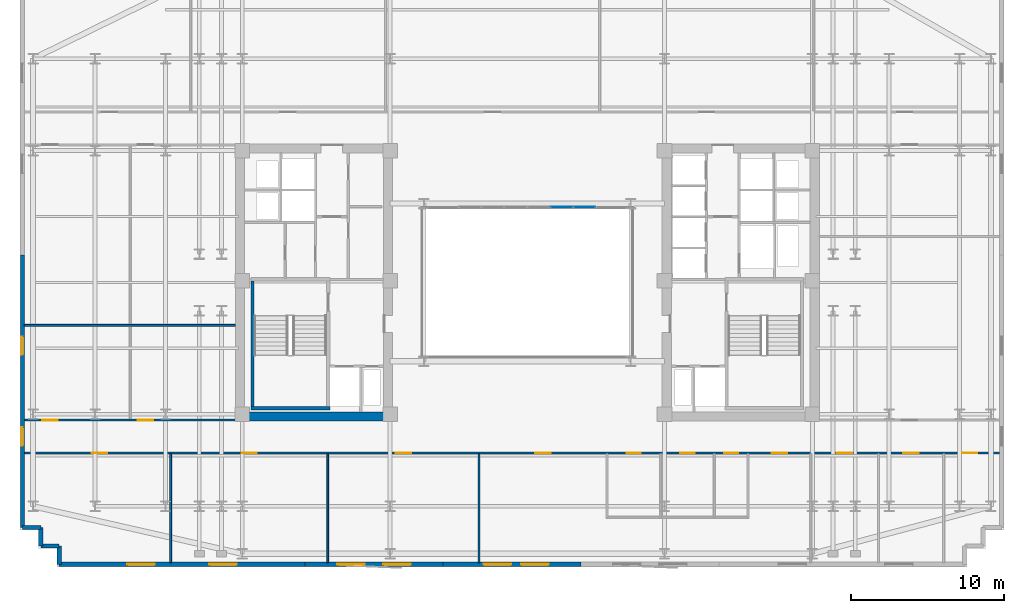
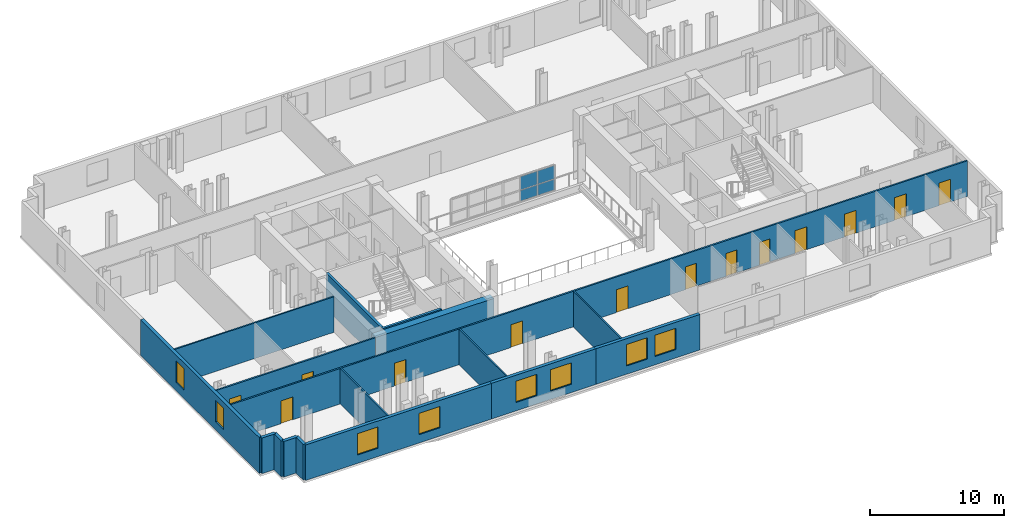
# One storey, part 6 of 12: 17 walls, 13 doors, 8 windows, 4 plates, 21 openings, 1 element without a shape of its own.
"""IFC4 building model written with IfcOpenShell, lengths in metres."""

from ifc_helpers import new_model, si_unit, direction, frame, frame_2d, origin, origin_2d, place, context, subcontext, project, spatial, rectangle, extrude, material, layer, layer_set, type_object, element, fill, aggregate, save


model = new_model("IFC4")

# Units and contexts
model_context = context("Model", 3, precision=1e-05, world=origin(), true_north=direction((0.0, 1.0)))
body_context = subcontext(model_context, "Body", "Model", "MODEL_VIEW")
ifc_project = project(units=[si_unit("LENGTHUNIT", "METRE"), si_unit("AREAUNIT", "SQUARE_METRE"), si_unit("VOLUMEUNIT", "CUBIC_METRE"), si_unit("PLANEANGLEUNIT", "RADIAN"), si_unit("MASSUNIT", "GRAM", prefix="KILO")], contexts=[model_context])

# Site, building, storey
site_placement = place(None, origin())
site = spatial("IfcSite", under=ifc_project, at=site_placement, CompositionType="ELEMENT")
building_placement = place(site_placement, origin())
building = spatial("IfcBuilding", under=site, at=building_placement, Name="Velakula Bourse", CompositionType="ELEMENT")
storey_placement = place(building_placement, frame((0.0, 0.0, 134.64990234375)))
storey = spatial("IfcBuildingStorey", under=building, at=storey_placement, Name="L36", CompositionType="ELEMENT", Elevation=134.64990234375)

# Curtain wall, plates
ifc_material_1 = material(Name="Anodised bronze architectural aluminium", Category="aluminium")
ifc_layer_1 = layer(ifc_material_1, 0.14990234375, Name="Anodised bronze architectural aluminium", Category="aluminium")
ifc_layer_set_1 = layer_set([ifc_layer_1], Name="Anodised bronze architectural aluminium")
curtain_wall_type = type_object("IfcCurtainWallType", Name="CW-AT1", PredefinedType="NOTDEFINED", material=ifc_layer_set_1)
curtain_wall_placement = place(storey_placement, origin())
curtain_wall = element("IfcCurtainWall", 1, at=curtain_wall_placement, inside=storey, type_object=curtain_wall_type, Name="L36 Central Trading Atrium Fire-Rated Glazed Screen", PredefinedType="NOTDEFINED")
ifc_material_2 = material(Name="Fire-resistant EI 120 laminated glazing", Category="glass")
ifc_layer_2 = layer(ifc_material_2, 0.02392578125, Name="Fire-resistant EI 120 laminated glazing", Category="glass")
ifc_layer_set_2 = layer_set([ifc_layer_2], Name="Fire-resistant EI 120 laminated glazing")
plate_type = type_object("IfcPlateType", Name="PNL-CW-AT1", PredefinedType="CURTAIN_PANEL", material=ifc_layer_set_2)
plate_1_placement = place(storey_placement, frame((2.25, 4.919921875, 0.06005859375), z_axis=(0.0, 0.0, 1.0), x_axis=(1.0, 0.0, 0.0)))
plate_1 = element("IfcPlate", 2, at=plate_1_placement, type_object=plate_type, Name="CW-AT1 panel 5.1", PredefinedType="CURTAIN_PANEL", context=body_context, shape_type="SweptSolid", body=[
    extrude(rectangle(XDim=1.43994140625, YDim=0.028076171875, at=origin_2d()), origin(), (0.0, 0.0, 1.0), 0.96533203125),
])
plate_2_placement = place(storey_placement, frame((2.25, 4.919921875, 1.08544921875), z_axis=(0.0, 0.0, 1.0), x_axis=(1.0, 0.0, 0.0)))
plate_2 = element("IfcPlate", 3, at=plate_2_placement, type_object=plate_type, Name="CW-AT1 panel 5.2", PredefinedType="CURTAIN_PANEL", context=body_context, shape_type="SweptSolid", body=[
    extrude(rectangle(XDim=1.43994140625, YDim=0.028076171875, at=origin_2d()), origin(), (0.0, 0.0, 1.0), 1.19970703125),
])
plate_3_placement = place(storey_placement, frame((3.735107421875, 4.919921875, 0.06005859375), z_axis=(0.0, 0.0, 1.0), x_axis=(1.0, 0.0, 0.0)))
plate_3 = element("IfcPlate", 4, at=plate_3_placement, type_object=plate_type, Name="CW-AT1 panel 6.1", PredefinedType="CURTAIN_PANEL", context=body_context, shape_type="SweptSolid", body=[
    extrude(rectangle(XDim=1.409912109375, YDim=0.028076171875, at=origin_2d()), origin(), (0.0, 0.0, 1.0), 0.96533203125),
])
plate_4_placement = place(storey_placement, frame((3.735107421875, 4.919921875, 1.08544921875), z_axis=(0.0, 0.0, 1.0), x_axis=(1.0, 0.0, 0.0)))
plate_4 = element("IfcPlate", 5, at=plate_4_placement, type_object=plate_type, Name="CW-AT1 panel 6.2", PredefinedType="CURTAIN_PANEL", context=body_context, shape_type="SweptSolid", body=[
    extrude(rectangle(XDim=1.409912109375, YDim=0.028076171875, at=origin_2d()), origin(), (0.0, 0.0, 1.0), 1.19970703125),
])
aggregate(curtain_wall, [plate_1, plate_2, plate_3, plate_4])

# Walls
ifc_material_3 = material(Name="Concrete M50 (fck 50 MPa)", Category="concrete")
ifc_layer_3 = layer(ifc_material_3, 0.2099609375, Name="Concrete M50 (fck 50 MPa)", Category="concrete")
ifc_layer_set_3 = layer_set([ifc_layer_3], Name="Concrete M50 (fck 50 MPa)")
wall_type_1 = type_object("IfcWallType", Name="WL-CORE-210", PredefinedType="SHEAR", material=ifc_layer_set_3)
wall_1_placement = place(storey_placement, frame((-17.925048828125, -8.10009765625, 0.0), z_axis=(0.0, 0.0, 1.0), x_axis=(0.0, 1.0, 0.0)))
element("IfcWall", 6, at=wall_1_placement, inside=storey, type_object=wall_type_1, Name="L36 Core W Stairwell Shear Wall OUT", PredefinedType="SHEAR", context=body_context, shape_type="SweptSolid", body=[
    extrude(rectangle(XDim=8.2001953125, YDim=0.2099609375, at=frame_2d((4.10009765625, 0.0))), origin(), (0.0, 0.0, 1.0), 3.27001953125),
])
wall_2_placement = place(storey_placement, frame((-18.030029296875, -8.205078125, 0.0), z_axis=(0.0, 0.0, 1.0), x_axis=(1.0, 0.0, 0.0)))
element("IfcWall", 7, at=wall_2_placement, inside=storey, type_object=wall_type_1, Name="L36 Core W Stairwell Shear Wall S", PredefinedType="SHEAR", context=body_context, shape_type="SweptSolid", body=[
    extrude(rectangle(XDim=5.14013671875, YDim=0.2099609375, at=frame_2d((2.570068359375, 0.0))), origin(), (0.0, 0.0, 1.0), 3.27001953125),
])
ifc_material_4 = material(Name="Concrete M70 (fck 70 MPa)", Category="concrete")
ifc_layer_4 = layer(ifc_material_4, 0.60009765625, Name="Concrete M70 (fck 70 MPa)", Category="concrete")
ifc_layer_set_4 = layer_set([ifc_layer_4], Name="Concrete M70 (fck 70 MPa)")
wall_type_2 = type_object("IfcWallType", Name="WL-CORE-600", PredefinedType="SHEAR", material=ifc_layer_set_4)
wall_3_placement = place(storey_placement, frame((-19.050048828125, -8.75, 0.0), z_axis=(0.0, 0.0, 1.0), x_axis=(1.0, 0.0, 0.0)))
element("IfcWall", 8, at=wall_3_placement, inside=storey, type_object=wall_type_2, Name="L36 Core W Shear Wall S", PredefinedType="SHEAR", context=body_context, shape_type="SweptSolid", body=[
    extrude(rectangle(XDim=10.25, YDim=0.60009765625, at=frame_2d((5.125, 0.0))), origin(), (0.0, 0.0, 1.0), 3.27001953125),
])

# Wall, openings, windows
ifc_material_5 = material(Name="Red kilned clay facing brick masonry", Category="masonry")
ifc_layer_5 = layer(ifc_material_5, 0.280029296875, Name="Red kilned clay facing brick masonry", Category="masonry")
ifc_layer_set_5 = layer_set([ifc_layer_5], Name="Red kilned clay facing brick masonry")
wall_type_3 = type_object("IfcWallType", Name="WL-EXT-BRK-280", PredefinedType="STANDARD", material=ifc_layer_set_5)
wall_4_placement = place(storey_placement, frame((-14.5, -18.389892578125, 0.0), z_axis=(0.0, 0.0, 1.0), x_axis=(-1.0, 0.0, 0.0)))
wall_4 = element("IfcWall", 9, at=wall_4_placement, inside=storey, type_object=wall_type_3, Name="L36 S Brick Spandrel Wall B1", PredefinedType="STANDARD", context=body_context, shape_type="SweptSolid", body=[
    extrude(rectangle(XDim=16.0400390625, YDim=0.280029296875, at=frame_2d((8.02001953125, 0.0))), origin(), (0.0, 0.0, 1.0), 3.25),
])
opening_1_placement = place(wall_4_placement, frame((4.44677734375, 0.0, 0.760009765625)))
opening_1 = element("IfcOpeningElement", 10, at=opening_1_placement, cuts=wall_4, Name="Opening W-01", PredefinedType="OPENING", context=body_context, shape_type="SweptSolid", body=[
    extrude(rectangle(XDim=1.800048828125, YDim=1.949951171875, at=frame_2d((0.89990234375, 0.97509765625))), frame((0.0, 0.14990234375, 0.0), z_axis=(0.0, -1.0, 0.0), x_axis=(1.0, 0.0, 0.0)), (0.0, 0.0, 1.0), 0.300048828125),
])
opening_2_placement = place(wall_4_placement, frame((9.793212890625, 0.0, 0.760009765625)))
opening_2 = element("IfcOpeningElement", 11, at=opening_2_placement, cuts=wall_4, Name="Opening W-01", PredefinedType="OPENING", context=body_context, shape_type="SweptSolid", body=[
    extrude(rectangle(XDim=1.800048828125, YDim=1.949951171875, at=frame_2d((0.89990234375, 0.97509765625))), frame((0.0, 0.14990234375, 0.0), z_axis=(0.0, -1.0, 0.0), x_axis=(1.0, 0.0, 0.0)), (0.0, 0.0, 1.0), 0.300048828125),
])
ifc_material_6 = material(Name="Double-glazed solar-control Low-E glass", Category="glass")
window_type_1 = type_object("IfcWindowType", Name="WIN-TWR-1800x2100", PartitioningType="SINGLE_PANEL", PredefinedType="WINDOW", material=ifc_material_6)
window_1_placement = place(opening_1_placement, origin())
window_1 = element("IfcWindow", 12, at=window_1_placement, inside=storey, type_object=window_type_1, Name="L36 Deep-Set Recessed Window 1", OverallHeight=1.949951171875, OverallWidth=1.800048828125, PartitioningType="SINGLE_PANEL", PredefinedType="WINDOW", context=body_context, shape_type="SweptSolid", body=[
    extrude(rectangle(XDim=1.800048828125, YDim=1.949951171875, at=frame_2d((0.89990234375, 0.97509765625))), frame((0.0, 0.030029296875, 0.0), z_axis=(0.0, -1.0, 0.0), x_axis=(1.0, 0.0, 0.0)), (0.0, 0.0, 1.0), 0.06005859375),
])
fill(opening_1, window_1)
window_2_placement = place(opening_2_placement, origin())
window_2 = element("IfcWindow", 13, at=window_2_placement, inside=storey, type_object=window_type_1, Name="L36 Deep-Set Recessed Window 2", OverallHeight=1.949951171875, OverallWidth=1.800048828125, PartitioningType="SINGLE_PANEL", PredefinedType="WINDOW", context=body_context, shape_type="SweptSolid", body=[
    extrude(rectangle(XDim=1.800048828125, YDim=1.949951171875, at=frame_2d((0.89990234375, 0.97509765625))), frame((0.0, 0.030029296875, 0.0), z_axis=(0.0, -1.0, 0.0), x_axis=(1.0, 0.0, 0.0)), (0.0, 0.0, 1.0), 0.06005859375),
])
fill(opening_2, window_2)

wall_5_placement = place(storey_placement, frame((-5.5, -18.389892578125, 0.0), z_axis=(0.0, 0.0, 1.0), x_axis=(-1.0, 0.0, 0.0)))
wall_5 = element("IfcWall", 14, at=wall_5_placement, inside=storey, type_object=wall_type_3, Name="L36 S Brick Spandrel Wall B2", PredefinedType="STANDARD", context=body_context, shape_type="SweptSolid", body=[
    extrude(rectangle(XDim=9.0, YDim=0.280029296875, at=frame_2d((4.5, 0.0))), origin(), (0.0, 0.0, 1.0), 3.25),
])
opening_3_placement = place(wall_5_placement, frame((2.10009765625, 0.0, 0.760009765625)))
opening_3 = element("IfcOpeningElement", 15, at=opening_3_placement, cuts=wall_5, Name="Opening W-01", PredefinedType="OPENING", context=body_context, shape_type="SweptSolid", body=[
    extrude(rectangle(XDim=1.800048828125, YDim=1.949951171875, at=frame_2d((0.89990234375, 0.97509765625))), frame((0.0, 0.14990234375, 0.0), z_axis=(0.0, -1.0, 0.0), x_axis=(1.0, 0.0, 0.0)), (0.0, 0.0, 1.0), 0.300048828125),
])
opening_4_placement = place(wall_5_placement, frame((5.10009765625, 0.0, 0.760009765625)))
opening_4 = element("IfcOpeningElement", 16, at=opening_4_placement, cuts=wall_5, Name="Opening W-01", PredefinedType="OPENING", context=body_context, shape_type="SweptSolid", body=[
    extrude(rectangle(XDim=1.800048828125, YDim=1.949951171875, at=frame_2d((0.89990234375, 0.97509765625))), frame((0.0, 0.14990234375, 0.0), z_axis=(0.0, -1.0, 0.0), x_axis=(1.0, 0.0, 0.0)), (0.0, 0.0, 1.0), 0.300048828125),
])
window_3_placement = place(opening_3_placement, origin())
window_3 = element("IfcWindow", 17, at=window_3_placement, inside=storey, type_object=window_type_1, Name="L36 Deep-Set Recessed Window 1", OverallHeight=1.949951171875, OverallWidth=1.800048828125, PartitioningType="SINGLE_PANEL", PredefinedType="WINDOW", context=body_context, shape_type="SweptSolid", body=[
    extrude(rectangle(XDim=1.800048828125, YDim=1.949951171875, at=frame_2d((0.89990234375, 0.97509765625))), frame((0.0, 0.030029296875, 0.0), z_axis=(0.0, -1.0, 0.0), x_axis=(1.0, 0.0, 0.0)), (0.0, 0.0, 1.0), 0.06005859375),
])
fill(opening_3, window_3)
window_4_placement = place(opening_4_placement, origin())
window_4 = element("IfcWindow", 18, at=window_4_placement, inside=storey, type_object=window_type_1, Name="L36 Deep-Set Recessed Window 2", OverallHeight=1.949951171875, OverallWidth=1.800048828125, PartitioningType="SINGLE_PANEL", PredefinedType="WINDOW", context=body_context, shape_type="SweptSolid", body=[
    extrude(rectangle(XDim=1.800048828125, YDim=1.949951171875, at=frame_2d((0.89990234375, 0.97509765625))), frame((0.0, 0.030029296875, 0.0), z_axis=(0.0, -1.0, 0.0), x_axis=(1.0, 0.0, 0.0)), (0.0, 0.0, 1.0), 0.06005859375),
])
fill(opening_4, window_4)

wall_6_placement = place(storey_placement, frame((3.5, -18.389892578125, 0.0), z_axis=(0.0, 0.0, 1.0), x_axis=(-1.0, 0.0, 0.0)))
wall_6 = element("IfcWall", 19, at=wall_6_placement, inside=storey, type_object=wall_type_3, Name="L36 S Brick Spandrel Wall B3", PredefinedType="STANDARD", context=body_context, shape_type="SweptSolid", body=[
    extrude(rectangle(XDim=9.0, YDim=0.280029296875, at=frame_2d((4.5, 0.0))), origin(), (0.0, 0.0, 1.0), 3.25),
])
opening_5_placement = place(wall_6_placement, frame((2.10009765625, 0.0, 0.760009765625)))
opening_5 = element("IfcOpeningElement", 20, at=opening_5_placement, cuts=wall_6, Name="Opening W-01", PredefinedType="OPENING", context=body_context, shape_type="SweptSolid", body=[
    extrude(rectangle(XDim=1.800048828125, YDim=1.949951171875, at=frame_2d((0.89990234375, 0.97509765625))), frame((0.0, 0.14990234375, 0.0), z_axis=(0.0, -1.0, 0.0), x_axis=(1.0, 0.0, 0.0)), (0.0, 0.0, 1.0), 0.300048828125),
])
opening_6_placement = place(wall_6_placement, frame((4.550048828125, 0.0, 0.760009765625)))
opening_6 = element("IfcOpeningElement", 21, at=opening_6_placement, cuts=wall_6, Name="Opening W-01", PredefinedType="OPENING", context=body_context, shape_type="SweptSolid", body=[
    extrude(rectangle(XDim=1.800048828125, YDim=1.949951171875, at=frame_2d((0.89990234375, 0.97509765625))), frame((0.0, 0.14990234375, 0.0), z_axis=(0.0, -1.0, 0.0), x_axis=(1.0, 0.0, 0.0)), (0.0, 0.0, 1.0), 0.300048828125),
])
window_5_placement = place(opening_5_placement, origin())
window_5 = element("IfcWindow", 22, at=window_5_placement, inside=storey, type_object=window_type_1, Name="L36 Deep-Set Recessed Window 1", OverallHeight=1.949951171875, OverallWidth=1.800048828125, PartitioningType="SINGLE_PANEL", PredefinedType="WINDOW", context=body_context, shape_type="SweptSolid", body=[
    extrude(rectangle(XDim=1.800048828125, YDim=1.949951171875, at=frame_2d((0.89990234375, 0.97509765625))), frame((0.0, 0.030029296875, 0.0), z_axis=(0.0, -1.0, 0.0), x_axis=(1.0, 0.0, 0.0)), (0.0, 0.0, 1.0), 0.06005859375),
])
fill(opening_5, window_5)
window_6_placement = place(opening_6_placement, origin())
window_6 = element("IfcWindow", 23, at=window_6_placement, inside=storey, type_object=window_type_1, Name="L36 Deep-Set Recessed Window 2", OverallHeight=1.949951171875, OverallWidth=1.800048828125, PartitioningType="SINGLE_PANEL", PredefinedType="WINDOW", context=body_context, shape_type="SweptSolid", body=[
    extrude(rectangle(XDim=1.800048828125, YDim=1.949951171875, at=frame_2d((0.89990234375, 0.97509765625))), frame((0.0, 0.030029296875, 0.0), z_axis=(0.0, -1.0, 0.0), x_axis=(1.0, 0.0, 0.0)), (0.0, 0.0, 1.0), 0.06005859375),
])
fill(opening_6, window_6)

wall_7_placement = place(storey_placement, frame((-32.93994140625, -15.989990234375, 0.0), z_axis=(0.0, 0.0, 1.0), x_axis=(0.0, 1.0, 0.0)))
wall_7 = element("IfcWall", 24, at=wall_7_placement, inside=storey, type_object=wall_type_3, Name="L36 W Brick End Wall W1", PredefinedType="STANDARD", context=body_context, shape_type="SweptSolid", body=[
    extrude(rectangle(XDim=17.7900390625, YDim=0.280029296875, at=frame_2d((8.89501953125, 0.0))), origin(), (0.0, 0.0, 1.0), 3.25),
])
opening_7_placement = place(wall_7_placement, frame((5.330078125, 0.0, 0.760009765625)))
opening_7 = element("IfcOpeningElement", 25, at=opening_7_placement, cuts=wall_7, Name="Opening W-04", PredefinedType="OPENING", context=body_context, shape_type="SweptSolid", body=[
    extrude(rectangle(XDim=1.199951171875, YDim=1.949951171875, at=frame_2d((0.60009765625, 0.97509765625))), frame((0.0, 0.14990234375, 0.0), z_axis=(0.0, -1.0, 0.0), x_axis=(1.0, 0.0, 0.0)), (0.0, 0.0, 1.0), 0.300048828125),
])
opening_8_placement = place(wall_7_placement, frame((11.260009765625, 0.0, 0.760009765625)))
opening_8 = element("IfcOpeningElement", 26, at=opening_8_placement, cuts=wall_7, Name="Opening W-04", PredefinedType="OPENING", context=body_context, shape_type="SweptSolid", body=[
    extrude(rectangle(XDim=1.199951171875, YDim=1.949951171875, at=frame_2d((0.60009765625, 0.97509765625))), frame((0.0, 0.14990234375, 0.0), z_axis=(0.0, -1.0, 0.0), x_axis=(1.0, 0.0, 0.0)), (0.0, 0.0, 1.0), 0.300048828125),
])
window_type_2 = type_object("IfcWindowType", Name="WIN-TWR-1200x2100", PartitioningType="SINGLE_PANEL", PredefinedType="WINDOW", material=ifc_material_6)
window_7_placement = place(opening_7_placement, origin())
window_7 = element("IfcWindow", 27, at=window_7_placement, inside=storey, type_object=window_type_2, Name="L36 Deep-Set Recessed Window 1", OverallHeight=1.949951171875, OverallWidth=1.199951171875, PartitioningType="SINGLE_PANEL", PredefinedType="WINDOW", context=body_context, shape_type="SweptSolid", body=[
    extrude(rectangle(XDim=1.199951171875, YDim=1.949951171875, at=frame_2d((0.60009765625, 0.97509765625))), frame((0.0, 0.030029296875, 0.0), z_axis=(0.0, -1.0, 0.0), x_axis=(1.0, 0.0, 0.0)), (0.0, 0.0, 1.0), 0.06005859375),
])
fill(opening_7, window_7)
window_8_placement = place(opening_8_placement, origin())
window_8 = element("IfcWindow", 28, at=window_8_placement, inside=storey, type_object=window_type_2, Name="L36 Deep-Set Recessed Window 2", OverallHeight=1.949951171875, OverallWidth=1.199951171875, PartitioningType="SINGLE_PANEL", PredefinedType="WINDOW", context=body_context, shape_type="SweptSolid", body=[
    extrude(rectangle(XDim=1.199951171875, YDim=1.949951171875, at=frame_2d((0.60009765625, 0.97509765625))), frame((0.0, 0.030029296875, 0.0), z_axis=(0.0, -1.0, 0.0), x_axis=(1.0, 0.0, 0.0)), (0.0, 0.0, 1.0), 0.06005859375),
])
fill(opening_8, window_8)

# Walls
for number, where, z_axis, x_axis, name in (
    (29, (-32.93994140625, -15.989990234375, 0.0), (0.0, 0.0, 1.0), (1.0, 0.0, 0.0), "L36 Serrated Corner Brick Wall SW-1"),
    (30, (-31.739990234375, -15.989990234375, 0.0), (0.0, 0.0, 1.0), (0.0, -1.0, 0.0), "L36 Serrated Corner Brick Wall SW-2"),
    (31, (-31.739990234375, -17.18994140625, 0.0), (0.0, 0.0, 1.0), (1.0, 0.0, 0.0), "L36 Serrated Corner Brick Wall SW-3"),
    (32, (-30.5400390625, -17.18994140625, 0.0), (0.0, 0.0, 1.0), (0.0, -1.0, 0.0), "L36 Serrated Corner Brick Wall SW-4"),
):
    element("IfcWall", number, at=place(storey_placement, frame(where, z_axis=z_axis, x_axis=x_axis)), inside=storey, type_object=wall_type_3, Name=name, PredefinedType="STANDARD", context=body_context, shape_type="SweptSolid", body=[
        extrude(rectangle(XDim=1.199951171875, YDim=0.280029296875, at=frame_2d((0.60009765625, 0.0))), origin(), (0.0, 0.0, 1.0), 3.25),
    ])
ifc_material_7 = material(Name="Fire-rated double-layer gypsum drywall partition", Category="gypsum")
ifc_layer_6 = layer(ifc_material_7, 0.1201171875, Name="Fire-rated double-layer gypsum drywall partition", Category="gypsum")
ifc_layer_set_6 = layer_set([ifc_layer_6], Name="Fire-rated double-layer gypsum drywall partition")
wall_type_4 = type_object("IfcWallType", Name="WL-PART-120", PredefinedType="STANDARD", material=ifc_layer_set_6)
for number, where, z_axis, x_axis, name in (
    (33, (-23.27001953125, -18.27001953125, 0.0), (0.0, 0.0, 1.0), (0.0, 1.0, 0.0), "L36 Interior Partition WL-INT-L36-SL-D5"),
    (34, (-13.02099609375, -18.27001953125, 0.0), (0.0, 0.0, 1.0), (0.0, 1.0, 0.0), "L36 Interior Partition WL-INT-L36-SL-D6"),
    (35, (-3.15087890625, -18.27001953125, 0.0), (0.0, 0.0, 1.0), (0.0, 1.0, 0.0), "L36 Interior Partition WL-INT-L36-SL-D7"),
):
    element("IfcWall", number, at=place(storey_placement, frame(where, z_axis=z_axis, x_axis=x_axis)), inside=storey, type_object=wall_type_4, Name=name, PredefinedType="STANDARD", context=body_context, shape_type="SweptSolid", body=[
        extrude(rectangle(XDim=7.080078125, YDim=0.1201171875, at=frame_2d((3.5400390625, 0.0))), origin(), (0.0, 0.0, 1.0), 3.25),
    ])
wall_8_placement = place(storey_placement, frame((-32.820068359375, -2.800048828125, 0.0), z_axis=(0.0, 0.0, 1.0), x_axis=(1.0, 0.0, 0.0)))
element("IfcWall", 36, at=wall_8_placement, inside=storey, type_object=wall_type_4, Name="L36 Interior Partition WL-INT-L36-W-H", PredefinedType="STANDARD", context=body_context, shape_type="SweptSolid", body=[
    extrude(rectangle(XDim=13.77001953125, YDim=0.1201171875, at=frame_2d((6.885009765625, 0.0))), origin(), (0.0, 0.0, 1.0), 3.25),
])

# Wall, openings, doors
ifc_layer_7 = layer(ifc_material_7, 0.139892578125, Name="Fire-rated double-layer gypsum drywall partition", Category="gypsum")
ifc_layer_set_7 = layer_set([ifc_layer_7], Name="Fire-rated double-layer gypsum drywall partition")
wall_type_5 = type_object("IfcWallType", Name="WL-PART-140", PredefinedType="STANDARD", material=ifc_layer_set_7)
wall_9_placement = place(storey_placement, frame((-32.820068359375, -11.1201171875, 0.0), z_axis=(0.0, 0.0, 1.0), x_axis=(1.0, 0.0, 0.0)))
wall_9 = element("IfcWall", 37, at=wall_9_placement, inside=storey, type_object=wall_type_5, Name="L36 Interior Partition WL-INT-L36-S-CORR", PredefinedType="STANDARD", context=body_context, shape_type="SweptSolid", body=[
    extrude(rectangle(XDim=63.64013671875, YDim=0.139892578125, at=frame_2d((31.820068359375, 0.0))), origin(), (0.0, 0.0, 1.0), 3.25),
])
opening_9_placement = place(wall_9_placement, frame((39.31005859375, 0.0, 0.0)))
opening_9 = element("IfcOpeningElement", 38, at=opening_9_placement, cuts=wall_9, Name="Opening D-WT1", PredefinedType="OPENING", context=body_context, shape_type="SweptSolid", body=[
    extrude(rectangle(XDim=0.919921875, YDim=2.080078125, at=frame_2d((0.4599609375, 1.0400390625))), frame((0.0, 0.079833984375, 0.0), z_axis=(0.0, -1.0, 0.0), x_axis=(1.0, 0.0, 0.0)), (0.0, 0.0, 1.0), 0.159912109375),
])
opening_10_placement = place(wall_9_placement, frame((42.81005859375, 0.0, 0.0)))
opening_10 = element("IfcOpeningElement", 39, at=opening_10_placement, cuts=wall_9, Name="Opening D-WT1", PredefinedType="OPENING", context=body_context, shape_type="SweptSolid", body=[
    extrude(rectangle(XDim=0.919921875, YDim=2.080078125, at=frame_2d((0.4599609375, 1.0400390625))), frame((0.0, 0.079833984375, 0.0), z_axis=(0.0, -1.0, 0.0), x_axis=(1.0, 0.0, 0.0)), (0.0, 0.0, 1.0), 0.159912109375),
])
opening_11_placement = place(wall_9_placement, frame((45.659912109375, 0.0, 0.0)))
opening_11 = element("IfcOpeningElement", 40, at=opening_11_placement, cuts=wall_9, Name="Opening D-WC1", PredefinedType="OPENING", context=body_context, shape_type="SweptSolid", body=[
    extrude(rectangle(XDim=0.919921875, YDim=2.080078125, at=frame_2d((0.4599609375, 1.0400390625))), frame((0.0, 0.079833984375, 0.0), z_axis=(0.0, -1.0, 0.0), x_axis=(1.0, 0.0, 0.0)), (0.0, 0.0, 1.0), 0.159912109375),
])
opening_12_placement = place(wall_9_placement, frame((4.40087890625, 0.0, 0.0)))
opening_12 = element("IfcOpeningElement", 41, at=opening_12_placement, cuts=wall_9, Name="Opening D-OF1", PredefinedType="OPENING", context=body_context, shape_type="SweptSolid", body=[
    extrude(rectangle(XDim=1.0, YDim=2.080078125, at=frame_2d((0.5, 1.0400390625))), frame((0.0, 0.079833984375, 0.0), z_axis=(0.0, -1.0, 0.0), x_axis=(1.0, 0.0, 0.0)), (0.0, 0.0, 1.0), 0.159912109375),
])
opening_13_placement = place(wall_9_placement, frame((14.174560546875, 0.0, 0.0)))
opening_13 = element("IfcOpeningElement", 42, at=opening_13_placement, cuts=wall_9, Name="Opening D-OF1", PredefinedType="OPENING", context=body_context, shape_type="SweptSolid", body=[
    extrude(rectangle(XDim=1.0, YDim=2.080078125, at=frame_2d((0.5, 1.0400390625))), frame((0.0, 0.079833984375, 0.0), z_axis=(0.0, -1.0, 0.0), x_axis=(1.0, 0.0, 0.0)), (0.0, 0.0, 1.0), 0.159912109375),
])
opening_14_placement = place(wall_9_placement, frame((24.23388671875, 0.0, 0.0)))
opening_14 = element("IfcOpeningElement", 43, at=opening_14_placement, cuts=wall_9, Name="Opening D-OF1", PredefinedType="OPENING", context=body_context, shape_type="SweptSolid", body=[
    extrude(rectangle(XDim=1.0, YDim=2.080078125, at=frame_2d((0.5, 1.0400390625))), frame((0.0, 0.079833984375, 0.0), z_axis=(0.0, -1.0, 0.0), x_axis=(1.0, 0.0, 0.0)), (0.0, 0.0, 1.0), 0.159912109375),
])
opening_15_placement = place(wall_9_placement, frame((33.344482421875, 0.0, 0.0)))
opening_15 = element("IfcOpeningElement", 44, at=opening_15_placement, cuts=wall_9, Name="Opening D-OF1", PredefinedType="OPENING", context=body_context, shape_type="SweptSolid", body=[
    extrude(rectangle(XDim=1.0, YDim=2.080078125, at=frame_2d((0.5, 1.0400390625))), frame((0.0, 0.079833984375, 0.0), z_axis=(0.0, -1.0, 0.0), x_axis=(1.0, 0.0, 0.0)), (0.0, 0.0, 1.0), 0.159912109375),
])
opening_16_placement = place(wall_9_placement, frame((48.764892578125, 0.0, 0.0)))
opening_16 = element("IfcOpeningElement", 45, at=opening_16_placement, cuts=wall_9, Name="Opening D-OF1", PredefinedType="OPENING", context=body_context, shape_type="SweptSolid", body=[
    extrude(rectangle(XDim=1.0, YDim=2.080078125, at=frame_2d((0.5, 1.0400390625))), frame((0.0, 0.079833984375, 0.0), z_axis=(0.0, -1.0, 0.0), x_axis=(1.0, 0.0, 0.0)), (0.0, 0.0, 1.0), 0.159912109375),
])
opening_17_placement = place(wall_9_placement, frame((53.0185546875, 0.0, 0.0)))
opening_17 = element("IfcOpeningElement", 46, at=opening_17_placement, cuts=wall_9, Name="Opening D-OF1", PredefinedType="OPENING", context=body_context, shape_type="SweptSolid", body=[
    extrude(rectangle(XDim=1.0, YDim=2.080078125, at=frame_2d((0.5, 1.0400390625))), frame((0.0, 0.079833984375, 0.0), z_axis=(0.0, -1.0, 0.0), x_axis=(1.0, 0.0, 0.0)), (0.0, 0.0, 1.0), 0.159912109375),
])
opening_18_placement = place(wall_9_placement, frame((57.35400390625, 0.0, 0.0)))
opening_18 = element("IfcOpeningElement", 47, at=opening_18_placement, cuts=wall_9, Name="Opening D-OF1", PredefinedType="OPENING", context=body_context, shape_type="SweptSolid", body=[
    extrude(rectangle(XDim=1.0, YDim=2.080078125, at=frame_2d((0.5, 1.0400390625))), frame((0.0, 0.079833984375, 0.0), z_axis=(0.0, -1.0, 0.0), x_axis=(1.0, 0.0, 0.0)), (0.0, 0.0, 1.0), 0.159912109375),
])
opening_19_placement = place(wall_9_placement, frame((61.1845703125, 0.0, 0.0)))
opening_19 = element("IfcOpeningElement", 48, at=opening_19_placement, cuts=wall_9, Name="Opening D-OF1", PredefinedType="OPENING", context=body_context, shape_type="SweptSolid", body=[
    extrude(rectangle(XDim=1.0, YDim=2.080078125, at=frame_2d((0.5, 1.0400390625))), frame((0.0, 0.079833984375, 0.0), z_axis=(0.0, -1.0, 0.0), x_axis=(1.0, 0.0, 0.0)), (0.0, 0.0, 1.0), 0.159912109375),
])
ifc_material_8 = material(Name="Fire-rated hardwood flush architectural door", Category="wood")
door_type_1 = type_object("IfcDoorType", Name="DR-OFF-1000", OperationType="NOTDEFINED", PredefinedType="DOOR", material=ifc_material_8)
door_1_placement = place(opening_12_placement, origin())
door_1 = element("IfcDoor", 49, at=door_1_placement, inside=storey, type_object=door_type_1, Name="L36 Sky-Garden Veranda Lounge Door", OperationType="SINGLE_SWING_LEFT", OverallHeight=2.080078125, OverallWidth=1.0, PredefinedType="DOOR", context=body_context, shape_type="SweptSolid", body=[
    extrude(rectangle(XDim=1.0, YDim=2.080078125, at=frame_2d((0.5, 1.0400390625))), frame((0.0, 0.02490234375, 0.0), z_axis=(0.0, -1.0, 0.0), x_axis=(1.0, 0.0, 0.0)), (0.0, 0.0, 1.0), 0.050048828125),
])
fill(opening_12, door_1)
door_2_placement = place(opening_13_placement, origin())
door_2 = element("IfcDoor", 50, at=door_2_placement, inside=storey, type_object=door_type_1, Name="L36 Bullion Assay Office Door", OperationType="SINGLE_SWING_RIGHT", OverallHeight=2.080078125, OverallWidth=1.0, PredefinedType="DOOR", context=body_context, shape_type="SweptSolid", body=[
    extrude(rectangle(XDim=1.0, YDim=2.080078125, at=frame_2d((0.5, 1.0400390625))), frame((0.0, 0.02490234375, 0.0), z_axis=(0.0, -1.0, 0.0), x_axis=(1.0, 0.0, 0.0)), (0.0, 0.0, 1.0), 0.050048828125),
])
fill(opening_13, door_2)
door_3_placement = place(opening_14_placement, origin())
door_3 = element("IfcDoor", 51, at=door_3_placement, inside=storey, type_object=door_type_1, Name="L36 Disciplinary Hearing Room Door", OperationType="SINGLE_SWING_LEFT", OverallHeight=2.080078125, OverallWidth=1.0, PredefinedType="DOOR", context=body_context, shape_type="SweptSolid", body=[
    extrude(rectangle(XDim=1.0, YDim=2.080078125, at=frame_2d((0.5, 1.0400390625))), frame((0.0, 0.02490234375, 0.0), z_axis=(0.0, -1.0, 0.0), x_axis=(1.0, 0.0, 0.0)), (0.0, 0.0, 1.0), 0.050048828125),
])
fill(opening_14, door_3)
door_4_placement = place(opening_15_placement, origin())
door_4 = element("IfcDoor", 52, at=door_4_placement, inside=storey, type_object=door_type_1, Name="L36 Traders Pantry Door", OperationType="SINGLE_SWING_RIGHT", OverallHeight=2.080078125, OverallWidth=1.0, PredefinedType="DOOR", context=body_context, shape_type="SweptSolid", body=[
    extrude(rectangle(XDim=1.0, YDim=2.080078125, at=frame_2d((0.5, 1.0400390625))), frame((0.0, 0.02490234375, 0.0), z_axis=(0.0, -1.0, 0.0), x_axis=(1.0, 0.0, 0.0)), (0.0, 0.0, 1.0), 0.050048828125),
])
fill(opening_15, door_4)
door_5_placement = place(opening_16_placement, origin())
door_5 = element("IfcDoor", 53, at=door_5_placement, inside=storey, type_object=door_type_1, Name="L36 Bourse Executive Workspace Door", OperationType="SINGLE_SWING_LEFT", OverallHeight=2.080078125, OverallWidth=1.0, PredefinedType="DOOR", context=body_context, shape_type="SweptSolid", body=[
    extrude(rectangle(XDim=1.0, YDim=2.080078125, at=frame_2d((0.5, 1.0400390625))), frame((0.0, 0.02490234375, 0.0), z_axis=(0.0, -1.0, 0.0), x_axis=(1.0, 0.0, 0.0)), (0.0, 0.0, 1.0), 0.050048828125),
])
fill(opening_16, door_5)
door_6_placement = place(opening_17_placement, origin())
door_6 = element("IfcDoor", 54, at=door_6_placement, inside=storey, type_object=door_type_1, Name="L36 Issuer Relations Office Door", OperationType="SINGLE_SWING_RIGHT", OverallHeight=2.080078125, OverallWidth=1.0, PredefinedType="DOOR", context=body_context, shape_type="SweptSolid", body=[
    extrude(rectangle(XDim=1.0, YDim=2.080078125, at=frame_2d((0.5, 1.0400390625))), frame((0.0, 0.02490234375, 0.0), z_axis=(0.0, -1.0, 0.0), x_axis=(1.0, 0.0, 0.0)), (0.0, 0.0, 1.0), 0.050048828125),
])
fill(opening_17, door_6)
door_7_placement = place(opening_18_placement, origin())
door_7 = element("IfcDoor", 55, at=door_7_placement, inside=storey, type_object=door_type_1, Name="L36 Sky-Garden Veranda Lounge Door", OperationType="SINGLE_SWING_LEFT", OverallHeight=2.080078125, OverallWidth=1.0, PredefinedType="DOOR", context=body_context, shape_type="SweptSolid", body=[
    extrude(rectangle(XDim=1.0, YDim=2.080078125, at=frame_2d((0.5, 1.0400390625))), frame((0.0, 0.02490234375, 0.0), z_axis=(0.0, -1.0, 0.0), x_axis=(1.0, 0.0, 0.0)), (0.0, 0.0, 1.0), 0.050048828125),
])
fill(opening_18, door_7)
door_8_placement = place(opening_19_placement, origin())
door_8 = element("IfcDoor", 56, at=door_8_placement, inside=storey, type_object=door_type_1, Name="L36 Bullion Assay Office Door", OperationType="SINGLE_SWING_RIGHT", OverallHeight=2.080078125, OverallWidth=1.0, PredefinedType="DOOR", context=body_context, shape_type="SweptSolid", body=[
    extrude(rectangle(XDim=1.0, YDim=2.080078125, at=frame_2d((0.5, 1.0400390625))), frame((0.0, 0.02490234375, 0.0), z_axis=(0.0, -1.0, 0.0), x_axis=(1.0, 0.0, 0.0)), (0.0, 0.0, 1.0), 0.050048828125),
])
fill(opening_19, door_8)
door_type_2 = type_object("IfcDoorType", Name="DR-WC-950", OperationType="NOTDEFINED", PredefinedType="DOOR", material=ifc_material_8)
door_9_placement = place(opening_9_placement, origin())
door_9 = element("IfcDoor", 57, at=door_9_placement, inside=storey, type_object=door_type_2, Name="L36 Male Staff Toilet Door", OperationType="SINGLE_SWING_RIGHT", OverallHeight=2.080078125, OverallWidth=0.919921875, PredefinedType="DOOR", context=body_context, shape_type="SweptSolid", body=[
    extrude(rectangle(XDim=0.919921875, YDim=2.080078125, at=frame_2d((0.4599609375, 1.0400390625))), frame((0.0, 0.02490234375, 0.0), z_axis=(0.0, -1.0, 0.0), x_axis=(1.0, 0.0, 0.0)), (0.0, 0.0, 1.0), 0.050048828125),
])
fill(opening_9, door_9)
door_10_placement = place(opening_10_placement, origin())
door_10 = element("IfcDoor", 58, at=door_10_placement, inside=storey, type_object=door_type_2, Name="L36 Female Staff Toilet Door", OperationType="SINGLE_SWING_LEFT", OverallHeight=2.080078125, OverallWidth=0.919921875, PredefinedType="DOOR", context=body_context, shape_type="SweptSolid", body=[
    extrude(rectangle(XDim=0.919921875, YDim=2.080078125, at=frame_2d((0.4599609375, 1.0400390625))), frame((0.0, 0.02490234375, 0.0), z_axis=(0.0, -1.0, 0.0), x_axis=(1.0, 0.0, 0.0)), (0.0, 0.0, 1.0), 0.050048828125),
])
fill(opening_10, door_10)
door_11_placement = place(opening_11_placement, origin())
door_11 = element("IfcDoor", 59, at=door_11_placement, inside=storey, type_object=door_type_2, Name="L36 Accessible WC Door", OperationType="SINGLE_SWING_RIGHT", OverallHeight=2.080078125, OverallWidth=0.919921875, PredefinedType="DOOR", context=body_context, shape_type="SweptSolid", body=[
    extrude(rectangle(XDim=0.919921875, YDim=2.080078125, at=frame_2d((0.4599609375, 1.0400390625))), frame((0.0, 0.02490234375, 0.0), z_axis=(0.0, -1.0, 0.0), x_axis=(1.0, 0.0, 0.0)), (0.0, 0.0, 1.0), 0.050048828125),
])
fill(opening_11, door_11)

wall_10_placement = place(storey_placement, frame((-32.820068359375, -8.97998046875, 0.0), z_axis=(0.0, 0.0, 1.0), x_axis=(1.0, 0.0, 0.0)))
wall_10 = element("IfcWall", 60, at=wall_10_placement, inside=storey, type_object=wall_type_5, Name="L36 Interior Partition WL-INT-L36-W-SC", PredefinedType="STANDARD", context=body_context, shape_type="SweptSolid", body=[
    extrude(rectangle(XDim=13.77001953125, YDim=0.139892578125, at=frame_2d((6.885009765625, 0.0))), origin(), (0.0, 0.0, 1.0), 3.25),
])
opening_20_placement = place(wall_10_placement, frame((1.17138671875, 0.0, 0.0)))
opening_20 = element("IfcOpeningElement", 61, at=opening_20_placement, cuts=wall_10, Name="Opening D-OF1", PredefinedType="OPENING", context=body_context, shape_type="SweptSolid", body=[
    extrude(rectangle(XDim=1.0, YDim=2.080078125, at=frame_2d((0.5, 1.0400390625))), frame((0.0, 0.079833984375, 0.0), z_axis=(0.0, -1.0, 0.0), x_axis=(1.0, 0.0, 0.0)), (0.0, 0.0, 1.0), 0.159912109375),
])
opening_21_placement = place(wall_10_placement, frame((7.4130859375, 0.0, 0.0)))
opening_21 = element("IfcOpeningElement", 62, at=opening_21_placement, cuts=wall_10, Name="Opening D-OF1", PredefinedType="OPENING", context=body_context, shape_type="SweptSolid", body=[
    extrude(rectangle(XDim=1.0, YDim=2.080078125, at=frame_2d((0.5, 1.0400390625))), frame((0.0, 0.079833984375, 0.0), z_axis=(0.0, -1.0, 0.0), x_axis=(1.0, 0.0, 0.0)), (0.0, 0.0, 1.0), 0.159912109375),
])
door_12_placement = place(opening_20_placement, origin())
door_12 = element("IfcDoor", 63, at=door_12_placement, inside=storey, type_object=door_type_1, Name="L36 Issuer Relations Office Door", OperationType="SINGLE_SWING_LEFT", OverallHeight=2.080078125, OverallWidth=1.0, PredefinedType="DOOR", context=body_context, shape_type="SweptSolid", body=[
    extrude(rectangle(XDim=1.0, YDim=2.080078125, at=frame_2d((0.5, 1.0400390625))), frame((0.0, 0.02490234375, 0.0), z_axis=(0.0, -1.0, 0.0), x_axis=(1.0, 0.0, 0.0)), (0.0, 0.0, 1.0), 0.050048828125),
])
fill(opening_20, door_12)
door_13_placement = place(opening_21_placement, origin())
door_13 = element("IfcDoor", 64, at=door_13_placement, inside=storey, type_object=door_type_1, Name="L36 Clearing Committee Room Door", OperationType="SINGLE_SWING_RIGHT", OverallHeight=2.080078125, OverallWidth=1.0, PredefinedType="DOOR", context=body_context, shape_type="SweptSolid", body=[
    extrude(rectangle(XDim=1.0, YDim=2.080078125, at=frame_2d((0.5, 1.0400390625))), frame((0.0, 0.02490234375, 0.0), z_axis=(0.0, -1.0, 0.0), x_axis=(1.0, 0.0, 0.0)), (0.0, 0.0, 1.0), 0.050048828125),
])
fill(opening_21, door_13)

save(model, "model.ifc")
